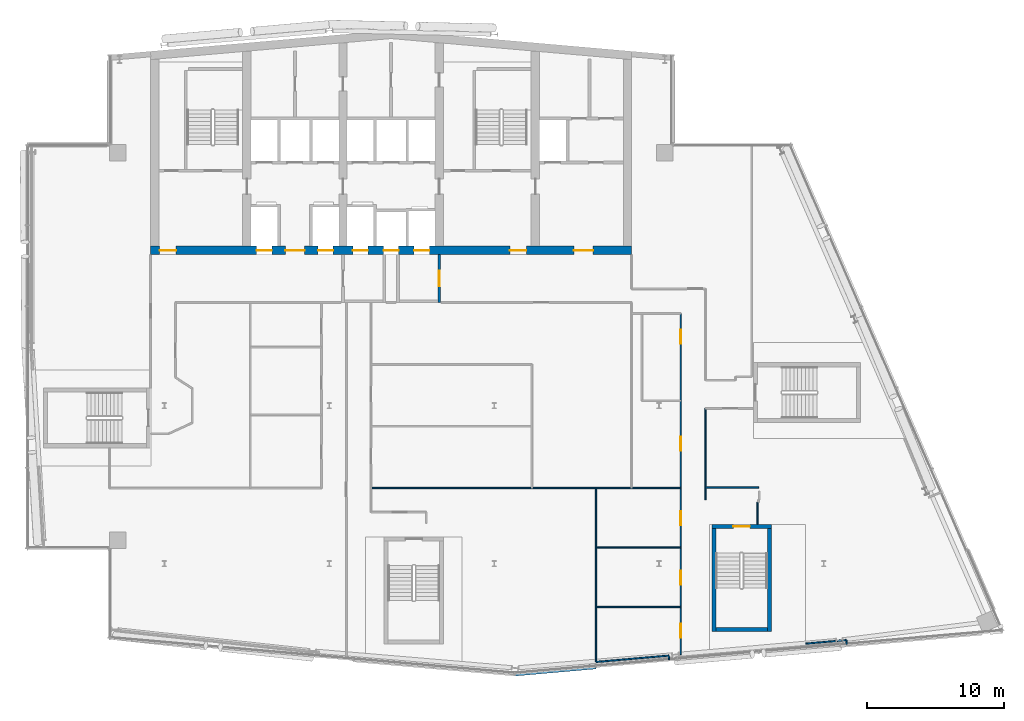
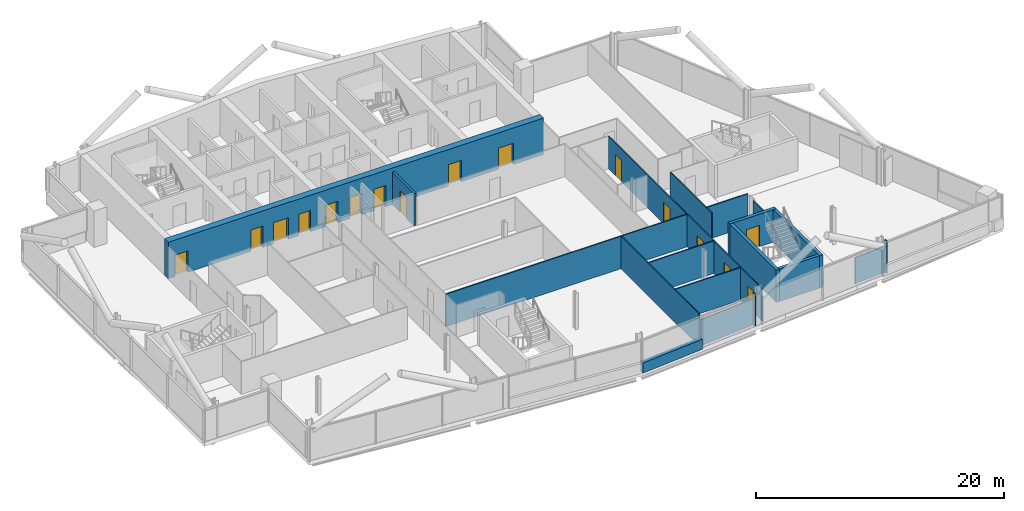
# One storey, part 16 of 25: 19 walls, 16 doors, 16 openings.
"""IFC4 building model written with IfcOpenShell, lengths in metres."""

from ifc_helpers import new_model, si_unit, direction, frame, frame_2d, origin, place, context, subcontext, project, spatial, rectangle, extrude, material, layer, layer_set, type_object, element, fill, save


model = new_model("IFC4")

# Units and contexts
model_context = context("Model", 3, precision=1e-05, world=origin(), true_north=direction((0.0, 1.0)))
body_context = subcontext(model_context, "Body", "Model", "MODEL_VIEW")
ifc_project = project(units=[si_unit("LENGTHUNIT", "METRE"), si_unit("AREAUNIT", "SQUARE_METRE"), si_unit("VOLUMEUNIT", "CUBIC_METRE"), si_unit("PLANEANGLEUNIT", "RADIAN"), si_unit("MASSUNIT", "GRAM", prefix="KILO")], contexts=[model_context])

# Site, building, storey
site_placement = place(None, origin())
site = spatial("IfcSite", under=ifc_project, at=site_placement, CompositionType="ELEMENT")
building_placement = place(site_placement, origin())
building = spatial("IfcBuilding", under=site, at=building_placement, Name="Wharfspan Tower", CompositionType="ELEMENT")
storey_placement = place(building_placement, frame((0.0, 0.0, 225.100098)))
storey = spatial("IfcBuildingStorey", under=building, at=storey_placement, Name="L56", CompositionType="ELEMENT", Elevation=225.100098)

# Walls
ifc_material_1 = material(Name="Gypsum board on steel studs", Category="steel")
ifc_layer_1 = layer(ifc_material_1, 0.100098)
ifc_layer_set_1 = layer_set([ifc_layer_1], Name="Gypsum board on steel studs")
wall_type_1 = type_object("IfcWallType", Name="Compartment wall 100 EI 60", PredefinedType="PARTITIONING", material=ifc_layer_set_1)
wall_1_placement = place(storey_placement, frame((39.040039, 17.0, 0.0), z_axis=(0.0, 0.0, 1.0), x_axis=(1.0, 0.0, 0.0)))
element("IfcWall", 1, at=wall_1_placement, inside=storey, type_object=wall_type_1, Name="Partition L56.w022", PredefinedType="PARTITIONING", context=body_context, shape_type="SweptSolid", body=[
    extrude(rectangle(XDim=22.540039, YDim=0.100098, at=frame_2d((11.27002, 0.0))), origin(), (0.0, 0.0, 1.0), 3.199951),
])
for number, where, z_axis, x_axis, name in (
    (2, (55.419922, 8.340088, 0.0), (0.0, 0.0, 1.0), (1.0, 0.0, 0.0), "Partition L56.w030"),
    (3, (55.419922, 12.669922, 0.0), (0.0, 0.0, 1.0), (1.0, 0.0, 0.0), "Partition L56.w031"),
):
    element("IfcWall", number, at=place(storey_placement, frame(where, z_axis=z_axis, x_axis=x_axis)), inside=storey, type_object=wall_type_1, Name=name, PredefinedType="PARTITIONING", context=body_context, shape_type="SweptSolid", body=[
        extrude(rectangle(XDim=6.160156, YDim=0.100098, at=frame_2d((3.080078, 0.0))), origin(), (0.0, 0.0, 1.0), 3.199951),
    ])

# Wall, openings, doors
wall_2_placement = place(storey_placement, frame((61.580078, 4.879883, 0.0), z_axis=(0.0, 0.0, 1.0), x_axis=(0.0, 1.0, 0.0)))
wall_2 = element("IfcWall", 4, at=wall_2_placement, inside=storey, type_object=wall_type_1, Name="Partition L56.w040", PredefinedType="PARTITIONING", context=body_context, shape_type="SweptSolid", body=[
    extrude(rectangle(XDim=24.820068, YDim=0.100098, at=frame_2d((12.410156, 0.0))), origin(), (0.0, 0.0, 1.0), 3.199951),
])
opening_1_placement = place(wall_2_placement, frame((1.23999, 0.0, 0.0)))
opening_1 = element("IfcOpeningElement", 5, at=opening_1_placement, cuts=wall_2, Name="Opening D3-01", PredefinedType="OPENING", context=body_context, shape_type="SweptSolid", body=[
    extrude(rectangle(XDim=1.0, YDim=2.100098, at=frame_2d((0.5, 1.050049))), frame((0.0, 0.060059, 0.0), z_axis=(0.0, -1.0, 0.0), x_axis=(1.0, 0.0, 0.0)), (0.0, 0.0, 1.0), 0.120117),
])
opening_2_placement = place(wall_2_placement, frame((5.090088, 0.0, 0.0)))
opening_2 = element("IfcOpeningElement", 6, at=opening_2_placement, cuts=wall_2, Name="Opening D3-02", PredefinedType="OPENING", context=body_context, shape_type="SweptSolid", body=[
    extrude(rectangle(XDim=1.0, YDim=2.100098, at=frame_2d((0.5, 1.050049))), frame((0.0, 0.060059, 0.0), z_axis=(0.0, -1.0, 0.0), x_axis=(1.0, 0.0, 0.0)), (0.0, 0.0, 1.0), 0.120117),
])
opening_3_placement = place(wall_2_placement, frame((9.415039, 0.0, 0.0)))
opening_3 = element("IfcOpeningElement", 7, at=opening_3_placement, cuts=wall_2, Name="Opening D3-03", PredefinedType="OPENING", context=body_context, shape_type="SweptSolid", body=[
    extrude(rectangle(XDim=1.0, YDim=2.100098, at=frame_2d((0.5, 1.050049))), frame((0.0, 0.060059, 0.0), z_axis=(0.0, -1.0, 0.0), x_axis=(1.0, 0.0, 0.0)), (0.0, 0.0, 1.0), 0.120117),
])
opening_4_placement = place(wall_2_placement, frame((14.850098, 0.0, 0.0)))
opening_4 = element("IfcOpeningElement", 8, at=opening_4_placement, cuts=wall_2, Name="Opening D3-08", PredefinedType="OPENING", context=body_context, shape_type="SweptSolid", body=[
    extrude(rectangle(XDim=1.0, YDim=2.100098, at=frame_2d((0.5, 1.050049))), frame((0.0, 0.060059, 0.0), z_axis=(0.0, -1.0, 0.0), x_axis=(1.0, 0.0, 0.0)), (0.0, 0.0, 1.0), 0.120117),
])
opening_5_placement = place(wall_2_placement, frame((22.629883, 0.0, 0.0)))
opening_5 = element("IfcOpeningElement", 9, at=opening_5_placement, cuts=wall_2, Name="Opening D3-13", PredefinedType="OPENING", context=body_context, shape_type="SweptSolid", body=[
    extrude(rectangle(XDim=1.0, YDim=2.100098, at=frame_2d((0.5, 1.050049))), frame((0.0, 0.060059, 0.0), z_axis=(0.0, -1.0, 0.0), x_axis=(1.0, 0.0, 0.0)), (0.0, 0.0, 1.0), 0.120117),
])
ifc_material_2 = material(Name="Fire-rated timber door leaf in steel frame", Category="steel")
door_type_1 = type_object("IfcDoorType", Name="Door 1000 FD30S Left", OperationType="SINGLE_SWING_LEFT", PredefinedType="DOOR", material=ifc_material_2)
door_1_placement = place(opening_1_placement, origin())
door_1 = element("IfcDoor", 10, at=door_1_placement, inside=storey, type_object=door_type_1, Name="Door D3-01", OperationType="SINGLE_SWING_LEFT", OverallHeight=2.100098, OverallWidth=1.0, PredefinedType="DOOR", context=body_context, shape_type="SweptSolid", body=[
    extrude(rectangle(XDim=1.0, YDim=2.100098, at=frame_2d((0.5, 1.050049))), frame((0.0, 0.024902, 0.0), z_axis=(0.0, -1.0, 0.0), x_axis=(1.0, 0.0, 0.0)), (0.0, 0.0, 1.0), 0.050049),
])
fill(opening_1, door_1)
door_2_placement = place(opening_2_placement, origin())
door_2 = element("IfcDoor", 11, at=door_2_placement, inside=storey, type_object=door_type_1, Name="Door D3-02", OperationType="SINGLE_SWING_LEFT", OverallHeight=2.100098, OverallWidth=1.0, PredefinedType="DOOR", context=body_context, shape_type="SweptSolid", body=[
    extrude(rectangle(XDim=1.0, YDim=2.100098, at=frame_2d((0.5, 1.050049))), frame((0.0, 0.024902, 0.0), z_axis=(0.0, -1.0, 0.0), x_axis=(1.0, 0.0, 0.0)), (0.0, 0.0, 1.0), 0.050049),
])
fill(opening_2, door_2)
door_3_placement = place(opening_3_placement, origin())
door_3 = element("IfcDoor", 12, at=door_3_placement, inside=storey, type_object=door_type_1, Name="Door D3-03", OperationType="SINGLE_SWING_LEFT", OverallHeight=2.100098, OverallWidth=1.0, PredefinedType="DOOR", context=body_context, shape_type="SweptSolid", body=[
    extrude(rectangle(XDim=1.0, YDim=2.100098, at=frame_2d((0.5, 1.050049))), frame((0.0, 0.024902, 0.0), z_axis=(0.0, -1.0, 0.0), x_axis=(1.0, 0.0, 0.0)), (0.0, 0.0, 1.0), 0.050049),
])
fill(opening_3, door_3)
door_type_2 = type_object("IfcDoorType", Name="Door 1000 FD30S Right", OperationType="SINGLE_SWING_RIGHT", PredefinedType="DOOR", material=ifc_material_2)
door_4_placement = place(opening_4_placement, origin())
door_4 = element("IfcDoor", 13, at=door_4_placement, inside=storey, type_object=door_type_2, Name="Door D3-08", OperationType="SINGLE_SWING_RIGHT", OverallHeight=2.100098, OverallWidth=1.0, PredefinedType="DOOR", context=body_context, shape_type="SweptSolid", body=[
    extrude(rectangle(XDim=1.0, YDim=2.100098, at=frame_2d((0.5, 1.050049))), frame((0.0, 0.024902, 0.0), z_axis=(0.0, -1.0, 0.0), x_axis=(1.0, 0.0, 0.0)), (0.0, 0.0, 1.0), 0.050049),
])
fill(opening_4, door_4)
door_5_placement = place(opening_5_placement, origin())
door_5 = element("IfcDoor", 14, at=door_5_placement, inside=storey, type_object=door_type_2, Name="Door D3-13", OperationType="SINGLE_SWING_RIGHT", OverallHeight=2.100098, OverallWidth=1.0, PredefinedType="DOOR", context=body_context, shape_type="SweptSolid", body=[
    extrude(rectangle(XDim=1.0, YDim=2.100098, at=frame_2d((0.5, 1.050049))), frame((0.0, 0.024902, 0.0), z_axis=(0.0, -1.0, 0.0), x_axis=(1.0, 0.0, 0.0)), (0.0, 0.0, 1.0), 0.050049),
])
fill(opening_5, door_5)

# Walls
wall_3_placement = place(storey_placement, frame((63.379883, 16.14502, 0.0), z_axis=(0.0, 0.0, 1.0), x_axis=(0.0, 1.0, 0.0)))
element("IfcWall", 15, at=wall_3_placement, inside=storey, type_object=wall_type_1, Name="Partition L56.w041", PredefinedType="PARTITIONING", context=body_context, shape_type="SweptSolid", body=[
    extrude(rectangle(XDim=6.655029, YDim=0.100098, at=frame_2d((3.327637, 0.0))), origin(), (0.0, 0.0, 1.0), 3.199951),
])
wall_4_placement = place(storey_placement, frame((63.389893, 17.044922, 0.0), z_axis=(0.0, 0.0, 1.0), x_axis=(1.0, 0.0, 0.0)))
element("IfcWall", 16, at=wall_4_placement, inside=storey, type_object=wall_type_1, Name="Partition L56.w046", PredefinedType="PARTITIONING", context=body_context, shape_type="SweptSolid", body=[
    extrude(rectangle(XDim=3.860107, YDim=0.100098, at=frame_2d((1.930176, 0.0))), origin(), (0.0, 0.0, 1.0), 3.199951),
])
wall_5_placement = place(storey_placement, frame((67.169922, 14.366211, 0.0), z_axis=(0.0, 0.0, 1.0), x_axis=(0.0, 1.0, 0.0)))
element("IfcWall", 17, at=wall_5_placement, inside=storey, type_object=wall_type_1, Name="Partition L56.w050", PredefinedType="PARTITIONING", context=body_context, shape_type="SweptSolid", body=[
    extrude(rectangle(XDim=1.588867, YDim=0.100098, at=frame_2d((0.794434, 0.0))), origin(), (0.0, 0.0, 1.0), 3.199951),
])

# Wall, openings, doors
ifc_material_3 = material(Name="Concrete C50/60", Category="concrete")
ifc_layer_2 = layer(ifc_material_3, 0.600098)
ifc_layer_set_2 = layer_set([ifc_layer_2], Name="Concrete C50/60")
wall_type_2 = type_object("IfcWallType", Name="Core wall 600 C50/60", PredefinedType="SHEAR", material=ifc_layer_set_2)
wall_6_placement = place(storey_placement, frame((23.0, 34.300049, 0.0), z_axis=(0.0, 0.0, 1.0), x_axis=(1.0, 0.0, 0.0)))
wall_6 = element("IfcWall", 18, at=wall_6_placement, inside=storey, type_object=wall_type_2, Name="Core front wall L56", PredefinedType="SHEAR", context=body_context, shape_type="SweptSolid", body=[
    extrude(rectangle(XDim=35.0, YDim=0.600098, at=frame_2d((17.5, 0.0))), origin(), (0.0, 0.0, 1.0), 3.599854),
])
opening_6_placement = place(wall_6_placement, frame((0.649902, 0.0, 0.0)))
opening_6 = element("IfcOpeningElement", 19, at=opening_6_placement, cuts=wall_6, Name="Opening SV2.L56", PredefinedType="OPENING", context=body_context, shape_type="SweptSolid", body=[
    extrude(rectangle(XDim=1.199951, YDim=2.100098, at=frame_2d((0.600098, 1.050049))), frame((0.0, 0.310059, 0.0), z_axis=(0.0, -1.0, 0.0), x_axis=(1.0, 0.0, 0.0)), (0.0, 0.0, 1.0), 0.620117),
])
opening_7_placement = place(wall_6_placement, frame((7.716797, 0.0, 0.0)))
opening_7 = element("IfcOpeningElement", 20, at=opening_7_placement, cuts=wall_6, Name="Opening LD.SL1.L56", PredefinedType="OPENING", context=body_context, shape_type="SweptSolid", body=[
    extrude(rectangle(XDim=1.100098, YDim=2.100098, at=frame_2d((0.550049, 1.050049))), frame((0.0, 0.310059, 0.0), z_axis=(0.0, -1.0, 0.0), x_axis=(1.0, 0.0, 0.0)), (0.0, 0.0, 1.0), 0.620117),
])
opening_8_placement = place(wall_6_placement, frame((12.18335, 0.0, 0.0)))
opening_8 = element("IfcOpeningElement", 21, at=opening_8_placement, cuts=wall_6, Name="Opening LD.SL2.L56", PredefinedType="OPENING", context=body_context, shape_type="SweptSolid", body=[
    extrude(rectangle(XDim=1.100098, YDim=2.100098, at=frame_2d((0.550049, 1.050049))), frame((0.0, 0.310059, 0.0), z_axis=(0.0, -1.0, 0.0), x_axis=(1.0, 0.0, 0.0)), (0.0, 0.0, 1.0), 0.620117),
])
opening_9_placement = place(wall_6_placement, frame((9.800049, 0.0, 0.0)))
opening_9 = element("IfcOpeningElement", 22, at=opening_9_placement, cuts=wall_6, Name="Opening HD56.3", PredefinedType="OPENING", context=body_context, shape_type="SweptSolid", body=[
    extrude(rectangle(XDim=1.399902, YDim=2.100098, at=frame_2d((0.699951, 1.050049))), frame((0.0, 0.310059, 0.0), z_axis=(0.0, -1.0, 0.0), x_axis=(1.0, 0.0, 0.0)), (0.0, 0.0, 1.0), 0.620117),
])
opening_10_placement = place(wall_6_placement, frame((14.716797, 0.0, 0.0)))
opening_10 = element("IfcOpeningElement", 23, at=opening_10_placement, cuts=wall_6, Name="Opening LD.FF1.L56", PredefinedType="OPENING", context=body_context, shape_type="SweptSolid", body=[
    extrude(rectangle(XDim=1.100098, YDim=2.100098, at=frame_2d((0.550049, 1.050049))), frame((0.0, 0.310059, 0.0), z_axis=(0.0, -1.0, 0.0), x_axis=(1.0, 0.0, 0.0)), (0.0, 0.0, 1.0), 0.620117),
])
opening_11_placement = place(wall_6_placement, frame((16.949951, 0.0, 0.0)))
opening_11 = element("IfcOpeningElement", 24, at=opening_11_placement, cuts=wall_6, Name="Opening LD.LB7.L56", PredefinedType="OPENING", context=body_context, shape_type="SweptSolid", body=[
    extrude(rectangle(XDim=1.100098, YDim=2.100098, at=frame_2d((0.550049, 1.050049))), frame((0.0, 0.310059, 0.0), z_axis=(0.0, -1.0, 0.0), x_axis=(1.0, 0.0, 0.0)), (0.0, 0.0, 1.0), 0.620117),
])
opening_12_placement = place(wall_6_placement, frame((19.18335, 0.0, 0.0)))
opening_12 = element("IfcOpeningElement", 25, at=opening_12_placement, cuts=wall_6, Name="Opening LD.FF2.L56", PredefinedType="OPENING", context=body_context, shape_type="SweptSolid", body=[
    extrude(rectangle(XDim=1.100098, YDim=2.100098, at=frame_2d((0.550049, 1.050049))), frame((0.0, 0.310059, 0.0), z_axis=(0.0, -1.0, 0.0), x_axis=(1.0, 0.0, 0.0)), (0.0, 0.0, 1.0), 0.620117),
])
opening_13_placement = place(wall_6_placement, frame((26.149902, 0.0, 0.0)))
opening_13 = element("IfcOpeningElement", 26, at=opening_13_placement, cuts=wall_6, Name="Opening SV5.L56", PredefinedType="OPENING", context=body_context, shape_type="SweptSolid", body=[
    extrude(rectangle(XDim=1.199951, YDim=2.100098, at=frame_2d((0.600098, 1.050049))), frame((0.0, 0.310059, 0.0), z_axis=(0.0, -1.0, 0.0), x_axis=(1.0, 0.0, 0.0)), (0.0, 0.0, 1.0), 0.620117),
])
opening_14_placement = place(wall_6_placement, frame((30.800049, 0.0, 0.0)))
opening_14 = element("IfcOpeningElement", 27, at=opening_14_placement, cuts=wall_6, Name="Opening HD56.6", PredefinedType="OPENING", context=body_context, shape_type="SweptSolid", body=[
    extrude(rectangle(XDim=1.399902, YDim=2.100098, at=frame_2d((0.699951, 1.050049))), frame((0.0, 0.310059, 0.0), z_axis=(0.0, -1.0, 0.0), x_axis=(1.0, 0.0, 0.0)), (0.0, 0.0, 1.0), 0.620117),
])
ifc_material_4 = material(Name="Steel door leaf", Category="steel")
door_type_3 = type_object("IfcDoorType", Name="Hall entry door 1400x2100", OperationType="DOUBLE_DOOR_SINGLE_SWING", PredefinedType="DOOR", material=ifc_material_4)
door_6_placement = place(opening_9_placement, origin())
door_6 = element("IfcDoor", 28, at=door_6_placement, inside=storey, type_object=door_type_3, Name="d:L56:3:hd3", OperationType="DOUBLE_DOOR_SINGLE_SWING", OverallHeight=2.100098, OverallWidth=1.399902, PredefinedType="DOOR", context=body_context, shape_type="SweptSolid", body=[
    extrude(rectangle(XDim=1.399902, YDim=2.100098, at=frame_2d((0.699951, 1.050049))), frame((0.0, 0.024902, 0.0), z_axis=(0.0, -1.0, 0.0), x_axis=(1.0, 0.0, 0.0)), (0.0, 0.0, 1.0), 0.050049),
])
fill(opening_9, door_6)
door_7_placement = place(opening_14_placement, origin())
door_7 = element("IfcDoor", 29, at=door_7_placement, inside=storey, type_object=door_type_3, Name="d:L56:6:hd6", OperationType="DOUBLE_DOOR_SINGLE_SWING", OverallHeight=2.100098, OverallWidth=1.399902, PredefinedType="DOOR", context=body_context, shape_type="SweptSolid", body=[
    extrude(rectangle(XDim=1.399902, YDim=2.100098, at=frame_2d((0.699951, 1.050049))), frame((0.0, 0.024902, 0.0), z_axis=(0.0, -1.0, 0.0), x_axis=(1.0, 0.0, 0.0)), (0.0, 0.0, 1.0), 0.050049),
])
fill(opening_14, door_7)
ifc_material_5 = material(Name="Stainless steel", Category="steel")
door_type_4 = type_object("IfcDoorType", Name="Lift landing door 1100x2100", OperationType="DOUBLE_DOOR_SLIDING", PredefinedType="DOOR", material=ifc_material_5)
door_8_placement = place(opening_7_placement, origin())
door_8 = element("IfcDoor", 30, at=door_8_placement, inside=storey, type_object=door_type_4, Name="Landing door SL1 L56", OperationType="DOUBLE_DOOR_SLIDING", OverallHeight=2.100098, OverallWidth=1.100098, PredefinedType="DOOR", context=body_context, shape_type="SweptSolid", body=[
    extrude(rectangle(XDim=1.100098, YDim=2.100098, at=frame_2d((0.550049, 1.050049))), frame((0.0, 0.024902, 0.0), z_axis=(0.0, -1.0, 0.0), x_axis=(1.0, 0.0, 0.0)), (0.0, 0.0, 1.0), 0.050049),
])
fill(opening_7, door_8)
door_9_placement = place(opening_8_placement, origin())
door_9 = element("IfcDoor", 31, at=door_9_placement, inside=storey, type_object=door_type_4, Name="Landing door SL2 L56", OperationType="DOUBLE_DOOR_SLIDING", OverallHeight=2.100098, OverallWidth=1.100098, PredefinedType="DOOR", context=body_context, shape_type="SweptSolid", body=[
    extrude(rectangle(XDim=1.100098, YDim=2.100098, at=frame_2d((0.550049, 1.050049))), frame((0.0, 0.024902, 0.0), z_axis=(0.0, -1.0, 0.0), x_axis=(1.0, 0.0, 0.0)), (0.0, 0.0, 1.0), 0.050049),
])
fill(opening_8, door_9)
door_10_placement = place(opening_10_placement, origin())
door_10 = element("IfcDoor", 32, at=door_10_placement, inside=storey, type_object=door_type_4, Name="Landing door FF1 L56", OperationType="DOUBLE_DOOR_SLIDING", OverallHeight=2.100098, OverallWidth=1.100098, PredefinedType="DOOR", context=body_context, shape_type="SweptSolid", body=[
    extrude(rectangle(XDim=1.100098, YDim=2.100098, at=frame_2d((0.550049, 1.050049))), frame((0.0, 0.024902, 0.0), z_axis=(0.0, -1.0, 0.0), x_axis=(1.0, 0.0, 0.0)), (0.0, 0.0, 1.0), 0.050049),
])
fill(opening_10, door_10)
door_11_placement = place(opening_11_placement, origin())
door_11 = element("IfcDoor", 33, at=door_11_placement, inside=storey, type_object=door_type_4, Name="Landing door LB7 L56", OperationType="DOUBLE_DOOR_SLIDING", OverallHeight=2.100098, OverallWidth=1.100098, PredefinedType="DOOR", context=body_context, shape_type="SweptSolid", body=[
    extrude(rectangle(XDim=1.100098, YDim=2.100098, at=frame_2d((0.550049, 1.050049))), frame((0.0, 0.024902, 0.0), z_axis=(0.0, -1.0, 0.0), x_axis=(1.0, 0.0, 0.0)), (0.0, 0.0, 1.0), 0.050049),
])
fill(opening_11, door_11)
door_12_placement = place(opening_12_placement, origin())
door_12 = element("IfcDoor", 34, at=door_12_placement, inside=storey, type_object=door_type_4, Name="Landing door FF2 L56", OperationType="DOUBLE_DOOR_SLIDING", OverallHeight=2.100098, OverallWidth=1.100098, PredefinedType="DOOR", context=body_context, shape_type="SweptSolid", body=[
    extrude(rectangle(XDim=1.100098, YDim=2.100098, at=frame_2d((0.550049, 1.050049))), frame((0.0, 0.024902, 0.0), z_axis=(0.0, -1.0, 0.0), x_axis=(1.0, 0.0, 0.0)), (0.0, 0.0, 1.0), 0.050049),
])
fill(opening_12, door_12)
door_type_5 = type_object("IfcDoorType", Name="Stair door 1200x2100", OperationType="SINGLE_SWING_LEFT", PredefinedType="DOOR", material=ifc_material_4)
door_13_placement = place(opening_6_placement, origin())
door_13 = element("IfcDoor", 35, at=door_13_placement, inside=storey, type_object=door_type_5, Name="vd:L56:2", OperationType="SINGLE_SWING_LEFT", OverallHeight=2.100098, OverallWidth=1.199951, PredefinedType="DOOR", context=body_context, shape_type="SweptSolid", body=[
    extrude(rectangle(XDim=1.199951, YDim=2.100098, at=frame_2d((0.600098, 1.050049))), frame((0.0, 0.024902, 0.0), z_axis=(0.0, -1.0, 0.0), x_axis=(1.0, 0.0, 0.0)), (0.0, 0.0, 1.0), 0.050049),
])
fill(opening_6, door_13)
door_14_placement = place(opening_13_placement, origin())
door_14 = element("IfcDoor", 36, at=door_14_placement, inside=storey, type_object=door_type_5, Name="vd:L56:5", OperationType="SINGLE_SWING_LEFT", OverallHeight=2.100098, OverallWidth=1.199951, PredefinedType="DOOR", context=body_context, shape_type="SweptSolid", body=[
    extrude(rectangle(XDim=1.199951, YDim=2.100098, at=frame_2d((0.600098, 1.050049))), frame((0.0, 0.024902, 0.0), z_axis=(0.0, -1.0, 0.0), x_axis=(1.0, 0.0, 0.0)), (0.0, 0.0, 1.0), 0.050049),
])
fill(opening_13, door_14)

# Wall, opening, door
ifc_material_6 = material(Name="Concrete C30/37", Category="concrete")
ifc_layer_3 = layer(ifc_material_6, 0.199951)
ifc_layer_set_3 = layer_set([ifc_layer_3], Name="Concrete C30/37")
wall_type_3 = type_object("IfcWallType", Name="Lobby wall 200", PredefinedType="PARTITIONING", material=ifc_layer_set_3)
wall_7_placement = place(storey_placement, frame((44.0, 30.5, 0.0), z_axis=(0.0, 0.0, 1.0), x_axis=(0.0, 1.0, 0.0)))
wall_7 = element("IfcWall", 37, at=wall_7_placement, inside=storey, type_object=wall_type_3, Name="sw:L56:FLFF2E", PredefinedType="PARTITIONING", context=body_context, shape_type="SweptSolid", body=[
    extrude(rectangle(XDim=3.5, YDim=0.199951, at=frame_2d((1.75, 0.0))), origin(), (0.0, 0.0, 1.0), 3.199951),
])
opening_15_placement = place(wall_7_placement, frame((1.199951, 0.0, 0.0)))
opening_15 = element("IfcOpeningElement", 38, at=opening_15_placement, cuts=wall_7, Name="Opening FL.FF2.L56", PredefinedType="OPENING", context=body_context, shape_type="SweptSolid", body=[
    extrude(rectangle(XDim=1.100098, YDim=2.100098, at=frame_2d((0.550049, 1.050049))), frame((0.0, 0.109863, 0.0), z_axis=(0.0, -1.0, 0.0), x_axis=(1.0, 0.0, 0.0)), (0.0, 0.0, 1.0), 0.219971),
])
door_type_6 = type_object("IfcDoorType", Name="Firefighting lobby door 1100x2100", OperationType="SINGLE_SWING_LEFT", PredefinedType="DOOR", material=ifc_material_4)
door_15_placement = place(opening_15_placement, origin())
door_15 = element("IfcDoor", 39, at=door_15_placement, inside=storey, type_object=door_type_6, Name="fd:L56:FF2", OperationType="SINGLE_SWING_LEFT", OverallHeight=2.100098, OverallWidth=1.100098, PredefinedType="DOOR", context=body_context, shape_type="SweptSolid", body=[
    extrude(rectangle(XDim=1.100098, YDim=2.100098, at=frame_2d((0.550049, 1.050049))), frame((0.0, 0.024902, 0.0), z_axis=(0.0, -1.0, 0.0), x_axis=(1.0, 0.0, 0.0)), (0.0, 0.0, 1.0), 0.050049),
])
fill(opening_15, door_15)

# Walls
ifc_layer_4 = layer(ifc_material_1, 0.100098)
ifc_layer_set_4 = layer_set([ifc_layer_4], Name="Gypsum board on steel studs")
wall_type_4 = type_object("IfcWallType", Name="Partition 100", PredefinedType="PARTITIONING", material=ifc_layer_set_4)
wall_8_placement = place(storey_placement, frame((55.415039, 4.340088, 0.0), z_axis=(0.0, 0.0, 1.0), x_axis=(0.996159, 0.087534, 0.0)))
element("IfcWall", 40, at=wall_8_placement, inside=storey, type_object=wall_type_4, Name="Partition L56.w028", PredefinedType="PARTITIONING", context=body_context, shape_type="SweptSolid", body=[
    extrude(rectangle(XDim=5.310303, YDim=0.100098, at=frame_2d((2.655273, 0.0))), origin(), (0.0, 0.0, 1.0), 2.579834),
])
wall_9_placement = place(storey_placement, frame((55.415039, 4.344971, 0.0), z_axis=(0.0, 0.0, 1.0), x_axis=(0.0, 1.0, 0.0)))
element("IfcWall", 41, at=wall_9_placement, inside=storey, type_object=wall_type_4, Name="Partition L56.w029", PredefinedType="PARTITIONING", context=body_context, shape_type="SweptSolid", body=[
    extrude(rectangle(XDim=12.650146, YDim=0.100098, at=frame_2d((6.325195, 0.0))), origin(), (0.0, 0.0, 1.0), 3.199951),
])
wall_10_placement = place(storey_placement, frame((60.73291, 4.49707, 0.0), z_axis=(0.0, 0.0, 1.0), x_axis=(-0.090037, 0.995936, 0.0)))
element("IfcWall", 42, at=wall_10_placement, inside=storey, type_object=wall_type_4, Name="Partition L56.w039", PredefinedType="PARTITIONING", context=body_context, shape_type="SweptSolid", body=[
    extrude(rectangle(XDim=0.309082, YDim=0.100098, at=frame_2d((0.154541, 0.0))), origin(), (0.0, 0.0, 1.0), 3.199951),
])
wall_11_placement = place(storey_placement, frame((70.688721, 5.676514, 0.0), z_axis=(0.0, 0.0, 1.0), x_axis=(0.996174, 0.087417, 0.0)))
element("IfcWall", 43, at=wall_11_placement, inside=storey, type_object=wall_type_4, Name="Partition L56.w053", PredefinedType="PARTITIONING", context=body_context, shape_type="SweptSolid", body=[
    extrude(rectangle(XDim=2.95752, YDim=0.100098, at=frame_2d((1.47876, 0.0))), origin(), (0.0, 0.0, 1.0), 2.579834),
])
wall_12_placement = place(storey_placement, frame((73.66333, 5.628174, 0.0), z_axis=(0.0, 0.0, 1.0), x_axis=(-0.091893, 0.995772, 0.0)))
element("IfcWall", 44, at=wall_12_placement, inside=storey, type_object=wall_type_4, Name="Partition L56.w054", PredefinedType="PARTITIONING", context=body_context, shape_type="SweptSolid", body=[
    extrude(rectangle(XDim=0.308105, YDim=0.100098, at=frame_2d((0.154053, 0.0))), origin(), (0.0, 0.0, 1.0), 3.199951),
])
ifc_material_7 = material(Name="Concrete C40/50", Category="concrete")
ifc_layer_5 = layer(ifc_material_7, 0.350098)
ifc_layer_set_5 = layer_set([ifc_layer_5], Name="Concrete C40/50")
wall_type_5 = type_object("IfcWallType", Name="SPANDREL EXPOSED CONCRETE 350", PredefinedType="SOLIDWALL", material=ifc_layer_set_5)
wall_13_placement = place(storey_placement, frame((49.54541, 3.493164, 0.0), z_axis=(0.0, 0.0, 1.0), x_axis=(0.996196, 0.087138, 0.0)))
element("IfcWall", 45, at=wall_13_placement, inside=storey, type_object=wall_type_5, Name="Spandrel upstand L56 S2 1", PredefinedType="SOLIDWALL", context=body_context, shape_type="SweptSolid", body=[
    extrude(rectangle(XDim=5.864014, YDim=0.350098, at=frame_2d((2.932129, 0.0))), origin(), (0.0, 0.0, 1.0), 1.0),
])

# Wall, opening, door
ifc_layer_6 = layer(ifc_material_7, 0.300049)
ifc_layer_set_6 = layer_set([ifc_layer_6], Name="Concrete C40/50")
wall_type_6 = type_object("IfcWallType", Name="Stair core wall 300", PredefinedType="SHEAR", material=ifc_layer_set_6)
wall_14_placement = place(storey_placement, frame((63.84375, 14.196289, 0.0), z_axis=(0.0, 0.0, 1.0), x_axis=(1.0, 0.0, 0.0)))
wall_14 = element("IfcWall", 46, at=wall_14_placement, inside=storey, type_object=wall_type_6, Name="ST5 stair enclosure wall L56", PredefinedType="SHEAR", context=body_context, shape_type="SweptSolid", body=[
    extrude(rectangle(XDim=4.350098, YDim=0.300049, at=frame_2d((2.175049, 0.0))), origin(), (0.0, 0.0, 1.0), 3.199951),
])
opening_16_placement = place(wall_14_placement, frame((1.574951, 0.0, 0.0)))
opening_16 = element("IfcOpeningElement", 47, at=opening_16_placement, cuts=wall_14, Name="Opening SD5.L56", PredefinedType="OPENING", context=body_context, shape_type="SweptSolid", body=[
    extrude(rectangle(XDim=1.199951, YDim=2.100098, at=frame_2d((0.600098, 1.050049))), frame((0.0, 0.159912, 0.0), z_axis=(0.0, -1.0, 0.0), x_axis=(1.0, 0.0, 0.0)), (0.0, 0.0, 1.0), 0.320068),
])
door_16_placement = place(opening_16_placement, origin())
door_16 = element("IfcDoor", 48, at=door_16_placement, inside=storey, type_object=door_type_5, Name="sd:L56:ST5z4", OperationType="SINGLE_SWING_RIGHT", OverallHeight=2.100098, OverallWidth=1.199951, PredefinedType="DOOR", context=body_context, shape_type="SweptSolid", body=[
    extrude(rectangle(XDim=1.199951, YDim=2.100098, at=frame_2d((0.600098, 1.050049))), frame((0.0, 0.024902, 0.0), z_axis=(0.0, -1.0, 0.0), x_axis=(1.0, 0.0, 0.0)), (0.0, 0.0, 1.0), 0.050049),
])
fill(opening_16, door_16)

# Walls
for number, where, z_axis, x_axis, name in (
    (49, (63.993896, 6.546143, 0.0), (0.0, 0.0, 1.0), (0.0, 1.0, 0.0), "ST5 stair enclosure wall L56"),
    (50, (68.043701, 6.546143, 0.0), (0.0, 0.0, 1.0), (0.0, 1.0, 0.0), "ST5 stair enclosure wall L56"),
):
    element("IfcWall", number, at=place(storey_placement, frame(where, z_axis=z_axis, x_axis=x_axis)), inside=storey, type_object=wall_type_6, Name=name, PredefinedType="SHEAR", context=body_context, shape_type="SweptSolid", body=[
        extrude(rectangle(XDim=7.5, YDim=0.300049, at=frame_2d((3.75, 0.0))), origin(), (0.0, 0.0, 1.0), 3.199951),
    ])
wall_15_placement = place(storey_placement, frame((64.143799, 6.696289, 0.0), z_axis=(0.0, 0.0, 1.0), x_axis=(1.0, 0.0, 0.0)))
element("IfcWall", 51, at=wall_15_placement, inside=storey, type_object=wall_type_6, Name="ST5 stair enclosure wall L56", PredefinedType="SHEAR", context=body_context, shape_type="SweptSolid", body=[
    extrude(rectangle(XDim=3.75, YDim=0.300049, at=frame_2d((1.875, 0.0))), origin(), (0.0, 0.0, 1.0), 3.199951),
])

save(model, "model.ifc")
